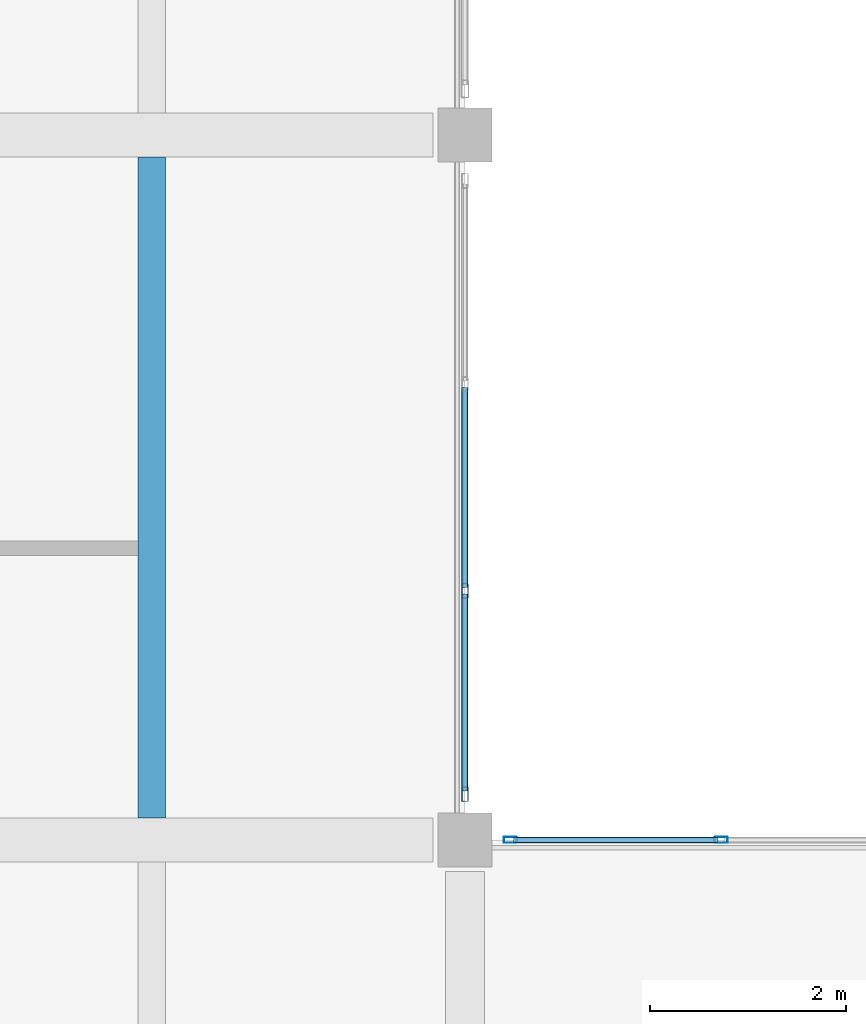
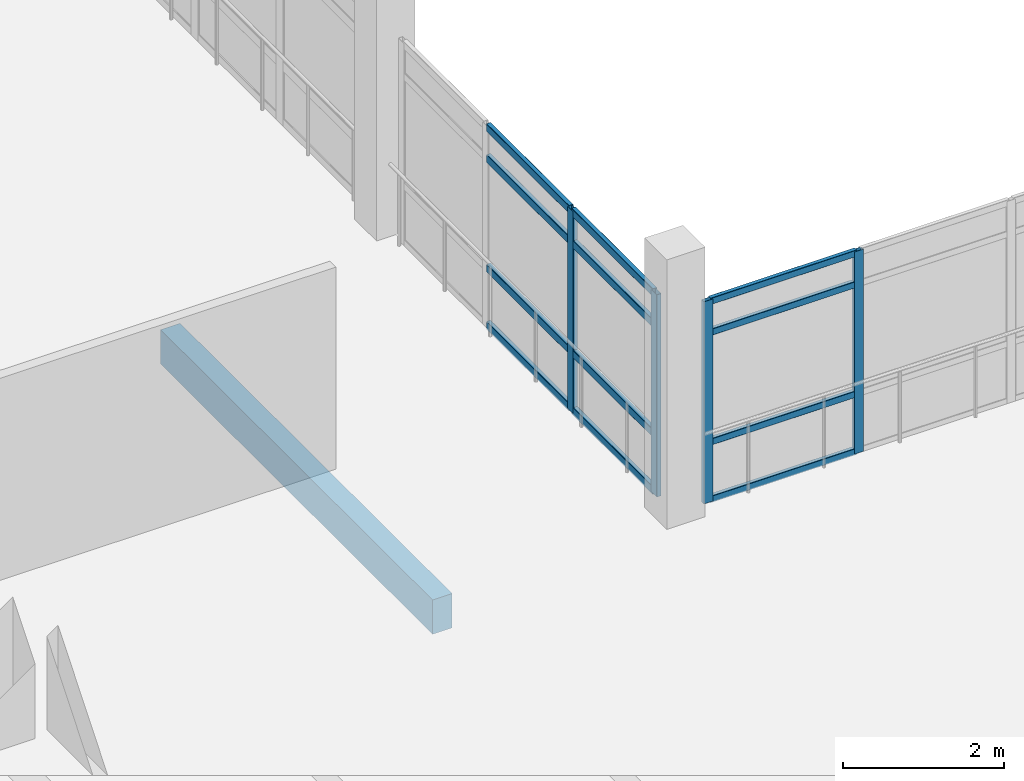
# One storey, part 9 of 72: 16 members, 1 beam, 2 elements without a shape of their own.
"""IFC4 building model written with IfcOpenShell, lengths in metres."""

from ifc_helpers import new_model, si_unit, direction, frame, origin, origin_2d, place, context, subcontext, project, spatial, rectangle, hollow_rectangle, extrude, material, layer, layer_set, material_profile, profile_set, type_object, element, aggregate, save


model = new_model("IFC4")

# Units and contexts
model_context = context("Model", 3, precision=1e-05, world=origin(), true_north=direction((0.0, 1.0)))
body_context = subcontext(model_context, "Body", "Model", "MODEL_VIEW")
ifc_project = project(units=[si_unit("LENGTHUNIT", "METRE"), si_unit("AREAUNIT", "SQUARE_METRE"), si_unit("VOLUMEUNIT", "CUBIC_METRE"), si_unit("PLANEANGLEUNIT", "RADIAN"), si_unit("MASSUNIT", "GRAM", prefix="KILO")], contexts=[model_context])

# Site, building, storey
site_placement = place(None, origin())
site = spatial("IfcSite", under=ifc_project, at=site_placement, CompositionType="ELEMENT")
building_placement = place(site_placement, origin())
building = spatial("IfcBuilding", under=site, at=building_placement, Name="Asteropetra Specialist Clinic", CompositionType="ELEMENT")
storey_placement = place(building_placement, frame((0.0, 0.0, 12.580078125)))
storey = spatial("IfcBuildingStorey", under=building, at=storey_placement, Name="L03", CompositionType="ELEMENT", Elevation=12.580078125)

# Curtain wall, members
ifc_material_1 = material(Name="Aluminium and low-E glass", Category="aluminium")
ifc_layer_1 = layer(ifc_material_1, 0.14990234375)
ifc_layer_set_1 = layer_set([ifc_layer_1], Name="Aluminium and low-E glass")
curtain_wall_type_1 = type_object("IfcCurtainWallType", Name="CW-SYS-08", PredefinedType="USERDEFINED", material=ifc_layer_set_1)
curtain_wall_1_placement = place(storey_placement, origin())
curtain_wall_1 = element("IfcCurtainWall", 1, at=curtain_wall_1_placement, inside=storey, type_object=curtain_wall_type_1, Name="Curtain Wall CW-083", ObjectType="STICK GLAZED COLONNADE", PredefinedType="USERDEFINED")
ifc_material_2 = material(Name="Aluminium 6063-T6", Category="aluminium")
ifc_material_profile_1 = material_profile(ifc_material_2, hollow_rectangle(XDim=0.06005859375, YDim=0.135009765625, WallThickness=0.00341796875, InnerFilletRadius=0.00341796875, OuterFilletRadius=0.007080078125, at=origin_2d()), Name="MUL 135x60x3.5")
ifc_profile_set_1 = profile_set([ifc_material_profile_1], Name="Aluminium 6063-T6")
member_type_1 = type_object("IfcMemberType", Name="CWM-135x60", PredefinedType="MULLION", material=ifc_profile_set_1)
member_1_placement = place(storey_placement, frame((125.264892578125, 19.199951171875, 0.0), z_axis=(0.0, 0.0, 1.0), x_axis=(0.0, 1.0, 0.0)))
member_1 = element("IfcMember", 2, at=member_1_placement, type_object=member_type_1, Name="CW-083 mullion 1", PredefinedType="MULLION", context=body_context, shape_type="SweptSolid", body=[
    extrude(hollow_rectangle(XDim=0.06005859375, YDim=0.135009765625, WallThickness=0.00341796875, InnerFilletRadius=0.00341796875, OuterFilletRadius=0.007080078125, at=origin_2d()), origin(), (0.0, 0.0, 1.0), 3.059814453125),
])
member_2_placement = place(storey_placement, frame((127.41748046875, 19.199951171875, 0.0), z_axis=(0.0, 0.0, 1.0), x_axis=(0.0, 1.0, 0.0)))
member_2 = element("IfcMember", 3, at=member_2_placement, type_object=member_type_1, Name="CW-083 mullion 2", PredefinedType="MULLION", context=body_context, shape_type="SweptSolid", body=[
    extrude(hollow_rectangle(XDim=0.06005859375, YDim=0.135009765625, WallThickness=0.00341796875, InnerFilletRadius=0.00341796875, OuterFilletRadius=0.007080078125, at=origin_2d()), origin(), (0.0, 0.0, 1.0), 3.059814453125),
])

ifc_material_3 = material(Name="Aluminium and low-E glass", Category="aluminium")
ifc_layer_2 = layer(ifc_material_3, 0.179931640625)
ifc_layer_set_2 = layer_set([ifc_layer_2], Name="Aluminium and low-E glass")
curtain_wall_type_2 = type_object("IfcCurtainWallType", Name="CW-SYS-10", PredefinedType="USERDEFINED", material=ifc_layer_set_2)
curtain_wall_2_placement = place(storey_placement, origin())
curtain_wall_2 = element("IfcCurtainWall", 4, at=curtain_wall_2_placement, inside=storey, type_object=curtain_wall_type_2, Name="Curtain Wall CW-085", ObjectType="STICK GLAZED COLONNADE", PredefinedType="USERDEFINED")
ifc_material_4 = material(Name="Aluminium 6063-T6", Category="aluminium")
ifc_material_profile_2 = material_profile(ifc_material_4, hollow_rectangle(XDim=0.06494140625, YDim=0.14990234375, WallThickness=0.00390625, InnerFilletRadius=0.00390625, OuterFilletRadius=0.008056640625, at=origin_2d()), Name="MUL 150x65x4.0")
ifc_profile_set_2 = profile_set([ifc_material_profile_2], Name="Aluminium 6063-T6")
member_type_2 = type_object("IfcMemberType", Name="CWM-150x65", PredefinedType="MULLION", material=ifc_profile_set_2)
member_3_placement = place(storey_placement, frame((124.800048828125, 21.7451171875, 0.0), z_axis=(0.0, 0.0, 1.0), x_axis=(1.0, 0.0, 0.0)))
member_3 = element("IfcMember", 5, at=member_3_placement, type_object=member_type_2, Name="CW-085 mullion 3", PredefinedType="MULLION", context=body_context, shape_type="SweptSolid", body=[
    extrude(hollow_rectangle(XDim=0.06494140625, YDim=0.14990234375, WallThickness=0.00390625, InnerFilletRadius=0.00390625, OuterFilletRadius=0.008056640625, at=origin_2d()), origin(), (0.0, 0.0, 1.0), 3.059814453125),
])
member_4_placement = place(storey_placement, frame((124.800048828125, 19.66748046875, 0.0), z_axis=(0.0, 0.0, 1.0), x_axis=(1.0, 0.0, 0.0)))
member_4 = element("IfcMember", 6, at=member_4_placement, type_object=member_type_2, Name="CW-085 mullion 4", PredefinedType="MULLION", context=body_context, shape_type="SweptSolid", body=[
    extrude(hollow_rectangle(XDim=0.06494140625, YDim=0.14990234375, WallThickness=0.00390625, InnerFilletRadius=0.00390625, OuterFilletRadius=0.008056640625, at=origin_2d()), origin(), (0.0, 0.0, 1.0), 3.059814453125),
])

# Member
ifc_material_5 = material(Name="Aluminium 6063-T6", Category="aluminium")
ifc_material_profile_3 = material_profile(ifc_material_5, hollow_rectangle(XDim=0.06005859375, YDim=0.10009765625, WallThickness=0.00341796875, InnerFilletRadius=0.00341796875, OuterFilletRadius=0.007080078125, at=origin_2d()), Name="TRN 100x60x3.5")
ifc_profile_set_3 = profile_set([ifc_material_profile_3], Name="Aluminium 6063-T6")
member_type_3 = type_object("IfcMemberType", Name="CWT-100x60", PredefinedType="USERDEFINED", material=ifc_profile_set_3)
member_5_placement = place(storey_placement, frame((125.294921875, 19.199951171875, 0.030029296875), z_axis=(1.0, 0.0, 0.0), x_axis=(0.0, 1.0, 0.0)))
member_5 = element("IfcMember", 7, at=member_5_placement, type_object=member_type_3, Name="CW-083 transom 1.1", ObjectType="TRANSOM", PredefinedType="USERDEFINED", context=body_context, shape_type="SweptSolid", body=[
    extrude(hollow_rectangle(XDim=0.06005859375, YDim=0.10009765625, WallThickness=0.00341796875, InnerFilletRadius=0.00341796875, OuterFilletRadius=0.007080078125, at=origin_2d()), origin(), (0.0, 0.0, 1.0), 2.092529296875),
])

member_6_placement = place(storey_placement, frame((125.294921875, 19.199951171875, 0.89990234375), z_axis=(1.0, 0.0, 0.0), x_axis=(0.0, 1.0, 0.0)))
member_6 = element("IfcMember", 8, at=member_6_placement, type_object=member_type_3, Name="CW-083 transom 1.2", ObjectType="TRANSOM", PredefinedType="USERDEFINED", context=body_context, shape_type="SweptSolid", body=[
    extrude(hollow_rectangle(XDim=0.06005859375, YDim=0.10009765625, WallThickness=0.00341796875, InnerFilletRadius=0.00341796875, OuterFilletRadius=0.007080078125, at=origin_2d()), origin(), (0.0, 0.0, 1.0), 2.092529296875),
])

member_7_placement = place(storey_placement, frame((125.294921875, 19.199951171875, 2.559814453125), z_axis=(1.0, 0.0, 0.0), x_axis=(0.0, 1.0, 0.0)))
member_7 = element("IfcMember", 9, at=member_7_placement, type_object=member_type_3, Name="CW-083 transom 1.3", ObjectType="TRANSOM", PredefinedType="USERDEFINED", context=body_context, shape_type="SweptSolid", body=[
    extrude(hollow_rectangle(XDim=0.06005859375, YDim=0.10009765625, WallThickness=0.00341796875, InnerFilletRadius=0.00341796875, OuterFilletRadius=0.007080078125, at=origin_2d()), origin(), (0.0, 0.0, 1.0), 2.092529296875),
])

member_8_placement = place(storey_placement, frame((125.294921875, 19.199951171875, 3.030029296875), z_axis=(1.0, 0.0, 0.0), x_axis=(0.0, 1.0, 0.0)))
member_8 = element("IfcMember", 10, at=member_8_placement, type_object=member_type_3, Name="CW-083 transom 1.4", ObjectType="TRANSOM", PredefinedType="USERDEFINED", context=body_context, shape_type="SweptSolid", body=[
    extrude(hollow_rectangle(XDim=0.06005859375, YDim=0.10009765625, WallThickness=0.00341796875, InnerFilletRadius=0.00341796875, OuterFilletRadius=0.007080078125, at=origin_2d()), origin(), (0.0, 0.0, 1.0), 2.092529296875),
])

aggregate(curtain_wall_1, [member_1, member_2, member_5, member_6, member_7, member_8])

ifc_material_6 = material(Name="Aluminium 6063-T6", Category="aluminium")
ifc_material_profile_4 = material_profile(ifc_material_6, hollow_rectangle(XDim=0.06494140625, YDim=0.1201171875, WallThickness=0.00390625, InnerFilletRadius=0.00390625, OuterFilletRadius=0.008056640625, at=origin_2d()), Name="TRN 120x65x4.0")
ifc_profile_set_4 = profile_set([ifc_material_profile_4], Name="Aluminium 6063-T6")
member_type_4 = type_object("IfcMemberType", Name="CWT-120x65", PredefinedType="USERDEFINED", material=ifc_profile_set_4)
member_9_placement = place(storey_placement, frame((124.800048828125, 23.822509765625, 0.032470703125), z_axis=(0.0, -1.0, 0.0), x_axis=(1.0, 0.0, 0.0)))
member_9 = element("IfcMember", 11, at=member_9_placement, type_object=member_type_4, Name="CW-085 transom 2.1", ObjectType="TRANSOM", PredefinedType="USERDEFINED", context=body_context, shape_type="SweptSolid", body=[
    extrude(hollow_rectangle(XDim=0.06494140625, YDim=0.1201171875, WallThickness=0.00390625, InnerFilletRadius=0.00390625, OuterFilletRadius=0.008056640625, at=origin_2d()), origin(), (0.0, 0.0, 1.0), 2.044921875),
])

member_10_placement = place(storey_placement, frame((124.800048828125, 23.822509765625, 0.89990234375), z_axis=(0.0, -1.0, 0.0), x_axis=(1.0, 0.0, 0.0)))
member_10 = element("IfcMember", 12, at=member_10_placement, type_object=member_type_4, Name="CW-085 transom 2.2", ObjectType="TRANSOM", PredefinedType="USERDEFINED", context=body_context, shape_type="SweptSolid", body=[
    extrude(hollow_rectangle(XDim=0.06494140625, YDim=0.1201171875, WallThickness=0.00390625, InnerFilletRadius=0.00390625, OuterFilletRadius=0.008056640625, at=origin_2d()), origin(), (0.0, 0.0, 1.0), 2.044921875),
])

member_11_placement = place(storey_placement, frame((124.800048828125, 23.822509765625, 2.559814453125), z_axis=(0.0, -1.0, 0.0), x_axis=(1.0, 0.0, 0.0)))
member_11 = element("IfcMember", 13, at=member_11_placement, type_object=member_type_4, Name="CW-085 transom 2.3", ObjectType="TRANSOM", PredefinedType="USERDEFINED", context=body_context, shape_type="SweptSolid", body=[
    extrude(hollow_rectangle(XDim=0.06494140625, YDim=0.1201171875, WallThickness=0.00390625, InnerFilletRadius=0.00390625, OuterFilletRadius=0.008056640625, at=origin_2d()), origin(), (0.0, 0.0, 1.0), 2.044921875),
])

member_12_placement = place(storey_placement, frame((124.800048828125, 23.822509765625, 3.02734375), z_axis=(0.0, -1.0, 0.0), x_axis=(1.0, 0.0, 0.0)))
member_12 = element("IfcMember", 14, at=member_12_placement, type_object=member_type_4, Name="CW-085 transom 2.4", ObjectType="TRANSOM", PredefinedType="USERDEFINED", context=body_context, shape_type="SweptSolid", body=[
    extrude(hollow_rectangle(XDim=0.06494140625, YDim=0.1201171875, WallThickness=0.00390625, InnerFilletRadius=0.00390625, OuterFilletRadius=0.008056640625, at=origin_2d()), origin(), (0.0, 0.0, 1.0), 2.044921875),
])

member_13_placement = place(storey_placement, frame((124.800048828125, 21.71240234375, 0.032470703125), z_axis=(0.0, -1.0, 0.0), x_axis=(1.0, 0.0, 0.0)))
member_13 = element("IfcMember", 15, at=member_13_placement, type_object=member_type_4, Name="CW-085 transom 3.1", ObjectType="TRANSOM", PredefinedType="USERDEFINED", context=body_context, shape_type="SweptSolid", body=[
    extrude(hollow_rectangle(XDim=0.06494140625, YDim=0.1201171875, WallThickness=0.00390625, InnerFilletRadius=0.00390625, OuterFilletRadius=0.008056640625, at=origin_2d()), origin(), (0.0, 0.0, 1.0), 2.012451171875),
])

member_14_placement = place(storey_placement, frame((124.800048828125, 21.71240234375, 0.89990234375), z_axis=(0.0, -1.0, 0.0), x_axis=(1.0, 0.0, 0.0)))
member_14 = element("IfcMember", 16, at=member_14_placement, type_object=member_type_4, Name="CW-085 transom 3.2", ObjectType="TRANSOM", PredefinedType="USERDEFINED", context=body_context, shape_type="SweptSolid", body=[
    extrude(hollow_rectangle(XDim=0.06494140625, YDim=0.1201171875, WallThickness=0.00390625, InnerFilletRadius=0.00390625, OuterFilletRadius=0.008056640625, at=origin_2d()), origin(), (0.0, 0.0, 1.0), 2.012451171875),
])

member_15_placement = place(storey_placement, frame((124.800048828125, 21.71240234375, 2.559814453125), z_axis=(0.0, -1.0, 0.0), x_axis=(1.0, 0.0, 0.0)))
member_15 = element("IfcMember", 17, at=member_15_placement, type_object=member_type_4, Name="CW-085 transom 3.3", ObjectType="TRANSOM", PredefinedType="USERDEFINED", context=body_context, shape_type="SweptSolid", body=[
    extrude(hollow_rectangle(XDim=0.06494140625, YDim=0.1201171875, WallThickness=0.00390625, InnerFilletRadius=0.00390625, OuterFilletRadius=0.008056640625, at=origin_2d()), origin(), (0.0, 0.0, 1.0), 2.012451171875),
])

member_16_placement = place(storey_placement, frame((124.800048828125, 21.71240234375, 3.02734375), z_axis=(0.0, -1.0, 0.0), x_axis=(1.0, 0.0, 0.0)))
member_16 = element("IfcMember", 18, at=member_16_placement, type_object=member_type_4, Name="CW-085 transom 3.4", ObjectType="TRANSOM", PredefinedType="USERDEFINED", context=body_context, shape_type="SweptSolid", body=[
    extrude(hollow_rectangle(XDim=0.06494140625, YDim=0.1201171875, WallThickness=0.00390625, InnerFilletRadius=0.00390625, OuterFilletRadius=0.008056640625, at=origin_2d()), origin(), (0.0, 0.0, 1.0), 2.012451171875),
])

aggregate(curtain_wall_2, [member_3, member_4, member_9, member_10, member_11, member_12, member_13, member_14, member_15, member_16])

# Beam
ifc_material_7 = material(Name="Concrete C35/45", Category="concrete")
ifc_material_profile_5 = material_profile(ifc_material_7, rectangle(XDim=0.280029296875, YDim=0.52001953125, at=origin_2d()), Name="RCJ 280x520")
ifc_profile_set_5 = profile_set([ifc_material_profile_5], Name="Concrete C35/45")
beam_type = type_object("IfcBeamType", Name="JST-RC280x520", PredefinedType="JOIST", material=ifc_profile_set_5)
beam_placement = place(storey_placement, frame((121.60009765625, 19.425048828125, -0.56005859375), z_axis=(0.0, 1.0, 0.0), x_axis=(-1.0, 0.0, 0.0)))
element("IfcBeam", 19, at=beam_placement, inside=storey, type_object=beam_type, Name="Joist JJST01-1526", PredefinedType="JOIST", context=body_context, shape_type="SweptSolid", body=[
    extrude(rectangle(XDim=0.280029296875, YDim=0.52001953125, at=origin_2d()), origin(), (0.0, 0.0, 1.0), 6.75),
])

save(model, "model.ifc")
